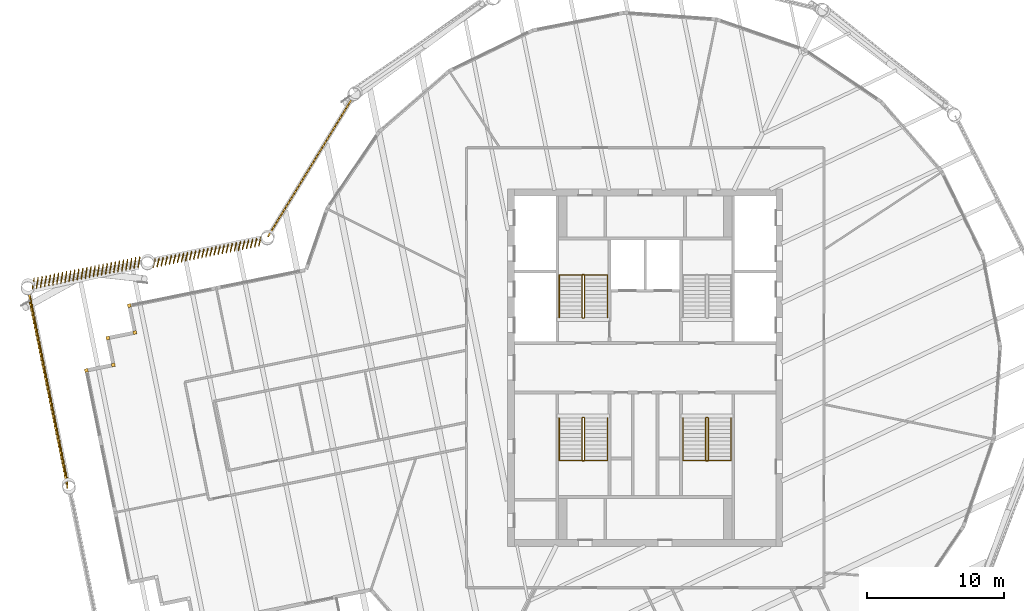
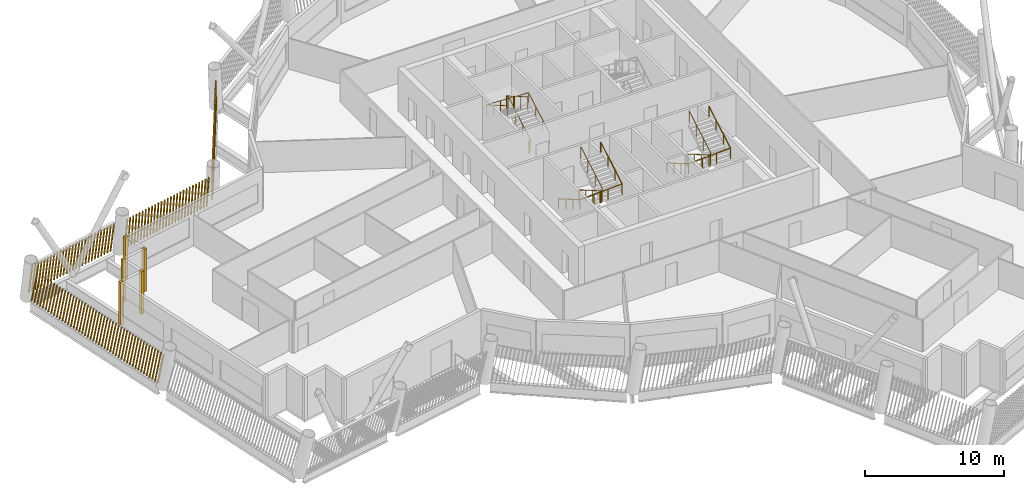
# One storey, part 18 of 21: 9 shading devices, 6 railings.
"""IFC4 building model written with IfcOpenShell, lengths in metres."""

from ifc_helpers import new_model, si_unit, direction, frame, frame_2d, origin, origin_2d, place, context, subcontext, project, spatial, rectangle, circle, composite_profile, extrude, material, type_object, element, save


model = new_model("IFC4")

# Units and contexts
model_context = context("Model", 3, precision=1e-05, world=origin(), true_north=direction((0.0, 1.0)))
body_context = subcontext(model_context, "Body", "Model", "MODEL_VIEW")
ifc_project = project(units=[si_unit("LENGTHUNIT", "METRE"), si_unit("AREAUNIT", "SQUARE_METRE"), si_unit("VOLUMEUNIT", "CUBIC_METRE"), si_unit("PLANEANGLEUNIT", "RADIAN"), si_unit("MASSUNIT", "GRAM", prefix="KILO")], contexts=[model_context])

# Site, building, storey
site_placement = place(None, origin())
site = spatial("IfcSite", under=ifc_project, at=site_placement, CompositionType="ELEMENT")
building_placement = place(site_placement, origin())
building = spatial("IfcBuilding", under=site, at=building_placement, Name="Tarsis Ring Headquarters", CompositionType="ELEMENT")
storey_placement = place(building_placement, frame((0.0, 0.0, 331.39990234375)))
storey = spatial("IfcBuildingStorey", under=building, at=storey_placement, Name="L78", CompositionType="ELEMENT", Elevation=331.39990234375)

# Railings
ifc_material_1 = material(Name="Steel S355", Category="steel")
railing_type_1 = type_object("IfcRailingType", Name="Core stair guard 1100", PredefinedType="GUARDRAIL", material=ifc_material_1)
railing_1_placement = place(storey_placement, frame((-4.5400390625, 3.610107421875, 0.0)))
element("IfcRailing", 1, at=railing_1_placement, inside=storey, type_object=railing_type_1, Name="L78 ST1 stair guard 1", PredefinedType="GUARDRAIL", context=body_context, shape_type="SweptSolid", body=[
    extrude(circle(Radius=0.02392578125, at=origin_2d()), frame((0.0, 0.0, 1.076171875), z_axis=(1.0, 0.0, 0.0), x_axis=(0.0, 1.0, 0.0)), (0.0, 0.0, 1.0), 0.080078125),
    extrude(circle(Radius=0.02392578125, at=origin_2d()), frame((0.080078125, 0.0, 1.076171875), z_axis=(0.282336740067, 0.280959487676, 0.917250092119), x_axis=(-0.705375805398, 0.708833529934, 0.0)), (0.0, 0.0, 1.0), 0.17724609375),
    extrude(circle(Radius=0.02392578125, at=origin_2d()), frame((0.130126953125, 0.0498046875, 1.23876953125), z_axis=(0.0, 0.864890721111, 0.501960198159), x_axis=(-1.0, 0.0, 0.0)), (0.0, 0.0, 1.0), 3.561279296875),
    extrude(circle(Radius=0.02392578125, at=origin_2d()), frame((0.130126953125, 3.1298828125, 3.0263671875), z_axis=(-0.707106781187, 0.707106781187, 0.0), x_axis=(-0.707106781187, -0.707106781187, 0.0)), (0.0, 0.0, 1.0), 0.07080078125),
    extrude(circle(Radius=0.02392578125, at=origin_2d()), frame((0.080078125, 3.179931640625, 3.0263671875), z_axis=(-1.0, 0.0, 0.0), x_axis=(0.0, -1.0, 0.0)), (0.0, 0.0, 1.0), 0.080078125),
    extrude(circle(Radius=0.02392578125, at=origin_2d()), frame((0.0, 3.179931640625, 3.0263671875), z_axis=(-0.282583949758, -0.282583949758, 0.916674763849), x_axis=(0.707106781187, -0.707106781187, 0.0)), (0.0, 0.0, 1.0), 0.177001953125),
    extrude(circle(Radius=0.02392578125, at=origin_2d()), frame((-0.050048828125, 3.1298828125, 3.1884765625), z_axis=(0.0, -0.864890721111, 0.501960198159), x_axis=(1.0, 0.0, 0.0)), (0.0, 0.0, 1.0), 3.561279296875),
    extrude(circle(Radius=0.02099609375, at=origin_2d()), origin(), (0.0, 0.0, 1.0), 1.052001953125),
    extrude(circle(Radius=0.02099609375, at=origin_2d()), frame((0.080078125, 0.0, 0.0)), (0.0, 0.0, 1.0), 1.052001953125),
    extrude(circle(Radius=0.02099609375, at=origin_2d()), frame((0.130126953125, 0.0498046875, 0.16259765625)), (0.0, 0.0, 1.0), 1.052001953125),
    extrude(circle(Radius=0.02099609375, at=origin_2d()), frame((0.130126953125, 1.076416015625, 0.758544921875)), (0.0, 0.0, 1.0), 1.052001953125),
    extrude(circle(Radius=0.02099609375, at=origin_2d()), frame((0.130126953125, 2.103271484375, 1.354248046875)), (0.0, 0.0, 1.0), 1.052001953125),
    extrude(circle(Radius=0.02099609375, at=origin_2d()), frame((0.130126953125, 3.1298828125, 1.9501953125)), (0.0, 0.0, 1.0), 1.052001953125),
    extrude(circle(Radius=0.02099609375, at=origin_2d()), frame((0.080078125, 3.179931640625, 1.9501953125)), (0.0, 0.0, 1.0), 1.052001953125),
    extrude(circle(Radius=0.02099609375, at=origin_2d()), frame((0.0, 3.179931640625, 1.9501953125)), (0.0, 0.0, 1.0), 1.052001953125),
    extrude(circle(Radius=0.02099609375, at=origin_2d()), frame((-0.050048828125, 3.1298828125, 2.112548828125)), (0.0, 0.0, 1.0), 1.052001953125),
    extrude(circle(Radius=0.02099609375, at=origin_2d()), frame((-0.050048828125, 2.103271484375, 2.70849609375)), (0.0, 0.0, 1.0), 1.052001953125),
    extrude(circle(Radius=0.02099609375, at=origin_2d()), frame((-0.050048828125, 1.076416015625, 3.30419921875)), (0.0, 0.0, 1.0), 1.052001953125),
    extrude(circle(Radius=0.02099609375, at=origin_2d()), frame((-0.050048828125, 0.0498046875, 3.900146484375)), (0.0, 0.0, 1.0), 1.052001953125),
])
railing_2_placement = place(storey_placement, frame((-4.4599609375, -3.610107421875, 0.0)))
element("IfcRailing", 2, at=railing_2_placement, inside=storey, type_object=railing_type_1, Name="L78 ST3 stair guard 1", PredefinedType="GUARDRAIL", context=body_context, shape_type="SweptSolid", body=[
    extrude(circle(Radius=0.02392578125, at=origin_2d()), frame((0.0, 0.0, 1.076171875), z_axis=(-1.0, 0.0, 0.0), x_axis=(0.0, -1.0, 0.0)), (0.0, 0.0, 1.0), 0.080078125),
    extrude(circle(Radius=0.02392578125, at=origin_2d()), frame((-0.080078125, 0.0, 1.076171875), z_axis=(-0.282336740067, -0.280959487676, 0.917250092119), x_axis=(0.705375805398, -0.708833529934, 0.0)), (0.0, 0.0, 1.0), 0.17724609375),
    extrude(circle(Radius=0.02392578125, at=origin_2d()), frame((-0.130126953125, -0.0498046875, 1.23876953125), z_axis=(0.0, -0.864890721111, 0.501960198159), x_axis=(1.0, 0.0, 0.0)), (0.0, 0.0, 1.0), 3.561279296875),
    extrude(circle(Radius=0.02392578125, at=origin_2d()), frame((-0.130126953125, -3.1298828125, 3.0263671875), z_axis=(0.707106781187, -0.707106781187, 0.0), x_axis=(0.707106781187, 0.707106781187, 0.0)), (0.0, 0.0, 1.0), 0.07080078125),
    extrude(circle(Radius=0.02392578125, at=origin_2d()), frame((-0.080078125, -3.179931640625, 3.0263671875), z_axis=(1.0, 0.0, 0.0), x_axis=(0.0, 1.0, 0.0)), (0.0, 0.0, 1.0), 0.080078125),
    extrude(circle(Radius=0.02392578125, at=origin_2d()), frame((0.0, -3.179931640625, 3.0263671875), z_axis=(0.282583949758, 0.282583949758, 0.916674763849), x_axis=(-0.707106781187, 0.707106781187, 0.0)), (0.0, 0.0, 1.0), 0.177001953125),
    extrude(circle(Radius=0.02392578125, at=origin_2d()), frame((0.050048828125, -3.1298828125, 3.1884765625), z_axis=(0.0, 0.864890721111, 0.501960198159), x_axis=(-1.0, 0.0, 0.0)), (0.0, 0.0, 1.0), 3.561279296875),
    extrude(circle(Radius=0.02099609375, at=origin_2d()), origin(), (0.0, 0.0, 1.0), 1.052001953125),
    extrude(circle(Radius=0.02099609375, at=origin_2d()), frame((-0.080078125, 0.0, 0.0)), (0.0, 0.0, 1.0), 1.052001953125),
    extrude(circle(Radius=0.02099609375, at=origin_2d()), frame((-0.130126953125, -0.0498046875, 0.16259765625)), (0.0, 0.0, 1.0), 1.052001953125),
    extrude(circle(Radius=0.02099609375, at=origin_2d()), frame((-0.130126953125, -1.076416015625, 0.758544921875)), (0.0, 0.0, 1.0), 1.052001953125),
    extrude(circle(Radius=0.02099609375, at=origin_2d()), frame((-0.130126953125, -2.103271484375, 1.354248046875)), (0.0, 0.0, 1.0), 1.052001953125),
    extrude(circle(Radius=0.02099609375, at=origin_2d()), frame((-0.130126953125, -3.1298828125, 1.9501953125)), (0.0, 0.0, 1.0), 1.052001953125),
    extrude(circle(Radius=0.02099609375, at=origin_2d()), frame((-0.080078125, -3.179931640625, 1.9501953125)), (0.0, 0.0, 1.0), 1.052001953125),
    extrude(circle(Radius=0.02099609375, at=origin_2d()), frame((0.0, -3.179931640625, 1.9501953125)), (0.0, 0.0, 1.0), 1.052001953125),
    extrude(circle(Radius=0.02099609375, at=origin_2d()), frame((0.050048828125, -3.1298828125, 2.112548828125)), (0.0, 0.0, 1.0), 1.052001953125),
    extrude(circle(Radius=0.02099609375, at=origin_2d()), frame((0.050048828125, -2.103271484375, 2.70849609375)), (0.0, 0.0, 1.0), 1.052001953125),
    extrude(circle(Radius=0.02099609375, at=origin_2d()), frame((0.050048828125, -1.076416015625, 3.30419921875)), (0.0, 0.0, 1.0), 1.052001953125),
    extrude(circle(Radius=0.02099609375, at=origin_2d()), frame((0.050048828125, -0.0498046875, 3.900146484375)), (0.0, 0.0, 1.0), 1.052001953125),
])
railing_3_placement = place(storey_placement, frame((4.5400390625, -3.610107421875, 0.0)))
element("IfcRailing", 3, at=railing_3_placement, inside=storey, type_object=railing_type_1, Name="L78 ST4 stair guard 1", PredefinedType="GUARDRAIL", context=body_context, shape_type="SweptSolid", body=[
    extrude(circle(Radius=0.02392578125, at=origin_2d()), frame((0.0, 0.0, 1.076171875), z_axis=(-1.0, 0.0, 0.0), x_axis=(0.0, -1.0, 0.0)), (0.0, 0.0, 1.0), 0.080078125),
    extrude(circle(Radius=0.02392578125, at=origin_2d()), frame((-0.080078125, 0.0, 1.076171875), z_axis=(-0.282336740067, -0.280959487676, 0.917250092119), x_axis=(0.705375805398, -0.708833529934, 0.0)), (0.0, 0.0, 1.0), 0.17724609375),
    extrude(circle(Radius=0.02392578125, at=origin_2d()), frame((-0.130126953125, -0.0498046875, 1.23876953125), z_axis=(0.0, -0.864890721111, 0.501960198159), x_axis=(1.0, 0.0, 0.0)), (0.0, 0.0, 1.0), 3.561279296875),
    extrude(circle(Radius=0.02392578125, at=origin_2d()), frame((-0.130126953125, -3.1298828125, 3.0263671875), z_axis=(0.707106781187, -0.707106781187, 0.0), x_axis=(0.707106781187, 0.707106781187, 0.0)), (0.0, 0.0, 1.0), 0.07080078125),
    extrude(circle(Radius=0.02392578125, at=origin_2d()), frame((-0.080078125, -3.179931640625, 3.0263671875), z_axis=(1.0, 0.0, 0.0), x_axis=(0.0, 1.0, 0.0)), (0.0, 0.0, 1.0), 0.080078125),
    extrude(circle(Radius=0.02392578125, at=origin_2d()), frame((0.0, -3.179931640625, 3.0263671875), z_axis=(0.282583949758, 0.282583949758, 0.916674763849), x_axis=(-0.707106781187, 0.707106781187, 0.0)), (0.0, 0.0, 1.0), 0.177001953125),
    extrude(circle(Radius=0.02392578125, at=origin_2d()), frame((0.050048828125, -3.1298828125, 3.1884765625), z_axis=(0.0, 0.864890721111, 0.501960198159), x_axis=(-1.0, 0.0, 0.0)), (0.0, 0.0, 1.0), 3.561279296875),
    extrude(circle(Radius=0.02099609375, at=origin_2d()), origin(), (0.0, 0.0, 1.0), 1.052001953125),
    extrude(circle(Radius=0.02099609375, at=origin_2d()), frame((-0.080078125, 0.0, 0.0)), (0.0, 0.0, 1.0), 1.052001953125),
    extrude(circle(Radius=0.02099609375, at=origin_2d()), frame((-0.130126953125, -0.0498046875, 0.16259765625)), (0.0, 0.0, 1.0), 1.052001953125),
    extrude(circle(Radius=0.02099609375, at=origin_2d()), frame((-0.130126953125, -1.076416015625, 0.758544921875)), (0.0, 0.0, 1.0), 1.052001953125),
    extrude(circle(Radius=0.02099609375, at=origin_2d()), frame((-0.130126953125, -2.103271484375, 1.354248046875)), (0.0, 0.0, 1.0), 1.052001953125),
    extrude(circle(Radius=0.02099609375, at=origin_2d()), frame((-0.130126953125, -3.1298828125, 1.9501953125)), (0.0, 0.0, 1.0), 1.052001953125),
    extrude(circle(Radius=0.02099609375, at=origin_2d()), frame((-0.080078125, -3.179931640625, 1.9501953125)), (0.0, 0.0, 1.0), 1.052001953125),
    extrude(circle(Radius=0.02099609375, at=origin_2d()), frame((0.0, -3.179931640625, 1.9501953125)), (0.0, 0.0, 1.0), 1.052001953125),
    extrude(circle(Radius=0.02099609375, at=origin_2d()), frame((0.050048828125, -3.1298828125, 2.112548828125)), (0.0, 0.0, 1.0), 1.052001953125),
    extrude(circle(Radius=0.02099609375, at=origin_2d()), frame((0.050048828125, -2.103271484375, 2.70849609375)), (0.0, 0.0, 1.0), 1.052001953125),
    extrude(circle(Radius=0.02099609375, at=origin_2d()), frame((0.050048828125, -1.076416015625, 3.30419921875)), (0.0, 0.0, 1.0), 1.052001953125),
    extrude(circle(Radius=0.02099609375, at=origin_2d()), frame((0.050048828125, -0.0498046875, 3.900146484375)), (0.0, 0.0, 1.0), 1.052001953125),
])
railing_type_2 = type_object("IfcRailingType", Name="Core stair handrail 900", PredefinedType="HANDRAIL", material=ifc_material_1)
railing_4_placement = place(storey_placement, frame((-2.75, 3.659912109375, 0.16259765625)))
element("IfcRailing", 4, at=railing_4_placement, inside=storey, type_object=railing_type_2, Name="L78 ST1 stair handrail 1", PredefinedType="HANDRAIL", context=body_context, shape_type="SweptSolid", body=[
    extrude(circle(Radius=0.02392578125, at=origin_2d()), frame((0.0, 0.0, 0.8759765625), z_axis=(0.0, 0.864890721111, 0.501960198159), x_axis=(-1.0, 0.0, 0.0)), (0.0, 0.0, 1.0), 3.561279296875),
    extrude(circle(Radius=0.02392578125, at=origin_2d()), frame((0.0, 3.080078125, 2.66357421875), z_axis=(-0.998925869279, 0.0, 0.04633689335), x_axis=(0.0, -1.0, 0.0)), (0.0, 0.0, 1.0), 3.503662109375),
    extrude(circle(Radius=0.02392578125, at=origin_2d()), frame((-3.5, 3.080078125, 2.82568359375), z_axis=(0.0, -0.864890721111, 0.501960198159), x_axis=(1.0, 0.0, 0.0)), (0.0, 0.0, 1.0), 3.561279296875),
    extrude(circle(Radius=0.02099609375, at=origin_2d()), origin(), (0.0, 0.0, 1.0), 0.851806640625),
    extrude(circle(Radius=0.02099609375, at=origin_2d()), frame((0.0, 1.026611328125, 0.595947265625)), (0.0, 0.0, 1.0), 0.851806640625),
    extrude(circle(Radius=0.02099609375, at=origin_2d()), frame((0.0, 2.053466796875, 1.191650390625)), (0.0, 0.0, 1.0), 0.851806640625),
    extrude(circle(Radius=0.02099609375, at=origin_2d()), frame((0.0, 3.080078125, 1.78759765625)), (0.0, 0.0, 1.0), 0.851806640625),
    extrude(circle(Radius=0.02099609375, at=origin_2d()), frame((-1.166748046875, 3.080078125, 1.841796875)), (0.0, 0.0, 1.0), 0.851806640625),
    extrude(circle(Radius=0.02099609375, at=origin_2d()), frame((-2.333251953125, 3.080078125, 1.895751953125)), (0.0, 0.0, 1.0), 0.851806640625),
    extrude(circle(Radius=0.02099609375, at=origin_2d()), frame((-3.5, 3.080078125, 1.949951171875)), (0.0, 0.0, 1.0), 0.851806640625),
    extrude(circle(Radius=0.02099609375, at=origin_2d()), frame((-3.5, 2.053466796875, 2.5458984375)), (0.0, 0.0, 1.0), 0.851806640625),
    extrude(circle(Radius=0.02099609375, at=origin_2d()), frame((-3.5, 1.026611328125, 3.1416015625)), (0.0, 0.0, 1.0), 0.851806640625),
    extrude(circle(Radius=0.02099609375, at=origin_2d()), frame((-3.5, 0.0, 3.737548828125)), (0.0, 0.0, 1.0), 0.851806640625),
])
railing_5_placement = place(storey_placement, frame((-6.25, -3.659912109375, 0.16259765625)))
element("IfcRailing", 5, at=railing_5_placement, inside=storey, type_object=railing_type_2, Name="L78 ST3 stair handrail 1", PredefinedType="HANDRAIL", context=body_context, shape_type="SweptSolid", body=[
    extrude(circle(Radius=0.02392578125, at=origin_2d()), frame((0.0, 0.0, 0.8759765625), z_axis=(0.0, -0.864890721111, 0.501960198159), x_axis=(1.0, 0.0, 0.0)), (0.0, 0.0, 1.0), 3.561279296875),
    extrude(circle(Radius=0.02392578125, at=origin_2d()), frame((0.0, -3.080078125, 2.66357421875), z_axis=(0.998925869279, 0.0, 0.04633689335), x_axis=(0.0, 1.0, 0.0)), (0.0, 0.0, 1.0), 3.503662109375),
    extrude(circle(Radius=0.02392578125, at=origin_2d()), frame((3.5, -3.080078125, 2.82568359375), z_axis=(0.0, 0.864890721111, 0.501960198159), x_axis=(-1.0, 0.0, 0.0)), (0.0, 0.0, 1.0), 3.561279296875),
    extrude(circle(Radius=0.02099609375, at=origin_2d()), origin(), (0.0, 0.0, 1.0), 0.851806640625),
    extrude(circle(Radius=0.02099609375, at=origin_2d()), frame((0.0, -1.026611328125, 0.595947265625)), (0.0, 0.0, 1.0), 0.851806640625),
    extrude(circle(Radius=0.02099609375, at=origin_2d()), frame((0.0, -2.053466796875, 1.191650390625)), (0.0, 0.0, 1.0), 0.851806640625),
    extrude(circle(Radius=0.02099609375, at=origin_2d()), frame((0.0, -3.080078125, 1.78759765625)), (0.0, 0.0, 1.0), 0.851806640625),
    extrude(circle(Radius=0.02099609375, at=origin_2d()), frame((1.166748046875, -3.080078125, 1.841796875)), (0.0, 0.0, 1.0), 0.851806640625),
    extrude(circle(Radius=0.02099609375, at=origin_2d()), frame((2.333251953125, -3.080078125, 1.895751953125)), (0.0, 0.0, 1.0), 0.851806640625),
    extrude(circle(Radius=0.02099609375, at=origin_2d()), frame((3.5, -3.080078125, 1.949951171875)), (0.0, 0.0, 1.0), 0.851806640625),
    extrude(circle(Radius=0.02099609375, at=origin_2d()), frame((3.5, -2.053466796875, 2.5458984375)), (0.0, 0.0, 1.0), 0.851806640625),
    extrude(circle(Radius=0.02099609375, at=origin_2d()), frame((3.5, -1.026611328125, 3.1416015625)), (0.0, 0.0, 1.0), 0.851806640625),
    extrude(circle(Radius=0.02099609375, at=origin_2d()), frame((3.5, 0.0, 3.737548828125)), (0.0, 0.0, 1.0), 0.851806640625),
])
railing_6_placement = place(storey_placement, frame((2.75, -3.659912109375, 0.16259765625)))
element("IfcRailing", 6, at=railing_6_placement, inside=storey, type_object=railing_type_2, Name="L78 ST4 stair handrail 1", PredefinedType="HANDRAIL", context=body_context, shape_type="SweptSolid", body=[
    extrude(circle(Radius=0.02392578125, at=origin_2d()), frame((0.0, 0.0, 0.8759765625), z_axis=(0.0, -0.864890721111, 0.501960198159), x_axis=(1.0, 0.0, 0.0)), (0.0, 0.0, 1.0), 3.561279296875),
    extrude(circle(Radius=0.02392578125, at=origin_2d()), frame((0.0, -3.080078125, 2.66357421875), z_axis=(0.998925869279, 0.0, 0.04633689335), x_axis=(0.0, 1.0, 0.0)), (0.0, 0.0, 1.0), 3.503662109375),
    extrude(circle(Radius=0.02392578125, at=origin_2d()), frame((3.5, -3.080078125, 2.82568359375), z_axis=(0.0, 0.864890721111, 0.501960198159), x_axis=(-1.0, 0.0, 0.0)), (0.0, 0.0, 1.0), 3.561279296875),
    extrude(circle(Radius=0.02099609375, at=origin_2d()), origin(), (0.0, 0.0, 1.0), 0.851806640625),
    extrude(circle(Radius=0.02099609375, at=origin_2d()), frame((0.0, -1.026611328125, 0.595947265625)), (0.0, 0.0, 1.0), 0.851806640625),
    extrude(circle(Radius=0.02099609375, at=origin_2d()), frame((0.0, -2.053466796875, 1.191650390625)), (0.0, 0.0, 1.0), 0.851806640625),
    extrude(circle(Radius=0.02099609375, at=origin_2d()), frame((0.0, -3.080078125, 1.78759765625)), (0.0, 0.0, 1.0), 0.851806640625),
    extrude(circle(Radius=0.02099609375, at=origin_2d()), frame((1.166748046875, -3.080078125, 1.841796875)), (0.0, 0.0, 1.0), 0.851806640625),
    extrude(circle(Radius=0.02099609375, at=origin_2d()), frame((2.333251953125, -3.080078125, 1.895751953125)), (0.0, 0.0, 1.0), 0.851806640625),
    extrude(circle(Radius=0.02099609375, at=origin_2d()), frame((3.5, -3.080078125, 1.949951171875)), (0.0, 0.0, 1.0), 0.851806640625),
    extrude(circle(Radius=0.02099609375, at=origin_2d()), frame((3.5, -2.053466796875, 2.5458984375)), (0.0, 0.0, 1.0), 0.851806640625),
    extrude(circle(Radius=0.02099609375, at=origin_2d()), frame((3.5, -1.026611328125, 3.1416015625)), (0.0, 0.0, 1.0), 0.851806640625),
    extrude(circle(Radius=0.02099609375, at=origin_2d()), frame((3.5, 0.0, 3.737548828125)), (0.0, 0.0, 1.0), 0.851806640625),
])

# Shading devices
ifc_material_2 = material(Name="Terracotta baguette", Category="masonry")
shading_device_type_1 = type_object("IfcShadingDeviceType", Name="Terracotta baguette screen", PredefinedType="USERDEFINED", material=ifc_material_2)
shading_device_1_placement = place(storey_placement, frame((-21.31982421875, 19.58056640625, 0.0), z_axis=(0.0, 0.0, 1.0), x_axis=(-0.520434074878, -0.853890396093, 0.0)))
element("IfcShadingDevice", 7, at=shading_device_1_placement, inside=storey, type_object=shading_device_type_1, Name="Baguette screen L78-14", ObjectType="Terracotta baguette screen", PredefinedType="USERDEFINED", context=body_context, shape_type="SweptSolid", body=[
    extrude(composite_profile([rectangle(XDim=0.06005859375, YDim=0.1201171875, at=frame_2d((0.030029296875, 0.0))), rectangle(XDim=0.06005859375, YDim=0.1201171875, at=frame_2d((0.33251953125, 0.0))), rectangle(XDim=0.06005859375, YDim=0.1201171875, at=frame_2d((0.634765625, 0.0))), rectangle(XDim=0.06005859375, YDim=0.1201171875, at=frame_2d((0.937255859375, 0.0))), rectangle(XDim=0.06005859375, YDim=0.1201171875, at=frame_2d((1.239501953125, 0.0))), rectangle(XDim=0.06005859375, YDim=0.1201171875, at=frame_2d((1.5419921875, 0.0))), rectangle(XDim=0.06005859375, YDim=0.1201171875, at=frame_2d((1.844482421875, 0.0))), rectangle(XDim=0.06005859375, YDim=0.1201171875, at=frame_2d((2.146728515625, 0.0))), rectangle(XDim=0.06005859375, YDim=0.1201171875, at=frame_2d((2.44921875, 0.0))), rectangle(XDim=0.06005859375, YDim=0.1201171875, at=frame_2d((2.751708984375, 0.0))), rectangle(XDim=0.06005859375, YDim=0.1201171875, at=frame_2d((3.053955078125, 0.0))), rectangle(XDim=0.06005859375, YDim=0.1201171875, at=frame_2d((3.3564453125, 0.0))), rectangle(XDim=0.06005859375, YDim=0.1201171875, at=frame_2d((3.65869140625, 0.0))), rectangle(XDim=0.06005859375, YDim=0.1201171875, at=frame_2d((3.961181640625, 0.0))), rectangle(XDim=0.06005859375, YDim=0.1201171875, at=frame_2d((4.263671875, 0.0))), rectangle(XDim=0.06005859375, YDim=0.1201171875, at=frame_2d((4.56591796875, 0.0))), rectangle(XDim=0.06005859375, YDim=0.1201171875, at=frame_2d((4.868408203125, 0.0))), rectangle(XDim=0.06005859375, YDim=0.1201171875, at=frame_2d((5.1708984375, 0.0))), rectangle(XDim=0.06005859375, YDim=0.1201171875, at=frame_2d((5.47314453125, 0.0))), rectangle(XDim=0.06005859375, YDim=0.1201171875, at=frame_2d((5.775634765625, 0.0))), rectangle(XDim=0.06005859375, YDim=0.1201171875, at=frame_2d((6.077880859375, 0.0))), rectangle(XDim=0.06005859375, YDim=0.1201171875, at=frame_2d((6.38037109375, 0.0))), rectangle(XDim=0.06005859375, YDim=0.1201171875, at=frame_2d((6.682861328125, 0.0))), rectangle(XDim=0.06005859375, YDim=0.1201171875, at=frame_2d((6.985107421875, 0.0))), rectangle(XDim=0.06005859375, YDim=0.1201171875, at=frame_2d((7.28759765625, 0.0))), rectangle(XDim=0.06005859375, YDim=0.1201171875, at=frame_2d((7.590087890625, 0.0))), rectangle(XDim=0.06005859375, YDim=0.1201171875, at=frame_2d((7.892333984375, 0.0))), rectangle(XDim=0.06005859375, YDim=0.1201171875, at=frame_2d((8.19482421875, 0.0))), rectangle(XDim=0.06005859375, YDim=0.1201171875, at=frame_2d((8.4970703125, 0.0))), rectangle(XDim=0.06005859375, YDim=0.1201171875, at=frame_2d((8.799560546875, 0.0))), rectangle(XDim=0.06005859375, YDim=0.1201171875, at=frame_2d((9.10205078125, 0.0))), rectangle(XDim=0.06005859375, YDim=0.1201171875, at=frame_2d((9.404296875, 0.0))), rectangle(XDim=0.06005859375, YDim=0.1201171875, at=frame_2d((9.706787109375, 0.0))), rectangle(XDim=0.06005859375, YDim=0.1201171875, at=frame_2d((10.00927734375, 0.0))), rectangle(XDim=0.06005859375, YDim=0.1201171875, at=frame_2d((10.3115234375, 0.0))), rectangle(XDim=0.06005859375, YDim=0.1201171875, at=frame_2d((10.614013671875, 0.0))), rectangle(XDim=0.06005859375, YDim=0.1201171875, at=frame_2d((10.916259765625, 0.0))), rectangle(XDim=0.06005859375, YDim=0.1201171875, at=frame_2d((11.21875, 0.0)))]), origin(), (0.171086463245, 0.001553941326, 0.985254793117), 3.012451171875),
])
shading_device_2_placement = place(storey_placement, frame((-27.924560546875, 9.44921875, 0.0), z_axis=(0.0, 0.0, 1.0), x_axis=(-0.980134087188, -0.198350171471, 0.0)))
element("IfcShadingDevice", 8, at=shading_device_2_placement, inside=storey, type_object=shading_device_type_1, Name="Baguette screen L78-15", ObjectType="Terracotta baguette screen", PredefinedType="USERDEFINED", context=body_context, shape_type="SweptSolid", body=[
    extrude(composite_profile([rectangle(XDim=0.06005859375, YDim=0.1201171875, at=frame_2d((0.030029296875, 0.0))), rectangle(XDim=0.06005859375, YDim=0.1201171875, at=frame_2d((0.33154296875, 0.0))), rectangle(XDim=0.06005859375, YDim=0.1201171875, at=frame_2d((0.63330078125, 0.0))), rectangle(XDim=0.06005859375, YDim=0.1201171875, at=frame_2d((0.934814453125, 0.0))), rectangle(XDim=0.06005859375, YDim=0.1201171875, at=frame_2d((1.236572265625, 0.0))), rectangle(XDim=0.06005859375, YDim=0.1201171875, at=frame_2d((1.5380859375, 0.0))), rectangle(XDim=0.06005859375, YDim=0.1201171875, at=frame_2d((1.83984375, 0.0))), rectangle(XDim=0.06005859375, YDim=0.1201171875, at=frame_2d((2.141357421875, 0.0))), rectangle(XDim=0.06005859375, YDim=0.1201171875, at=frame_2d((2.443115234375, 0.0))), rectangle(XDim=0.06005859375, YDim=0.1201171875, at=frame_2d((2.74462890625, 0.0))), rectangle(XDim=0.06005859375, YDim=0.1201171875, at=frame_2d((3.04638671875, 0.0))), rectangle(XDim=0.06005859375, YDim=0.1201171875, at=frame_2d((3.347900390625, 0.0))), rectangle(XDim=0.06005859375, YDim=0.1201171875, at=frame_2d((3.649658203125, 0.0))), rectangle(XDim=0.06005859375, YDim=0.1201171875, at=frame_2d((3.951171875, 0.0))), rectangle(XDim=0.06005859375, YDim=0.1201171875, at=frame_2d((4.252685546875, 0.0))), rectangle(XDim=0.06005859375, YDim=0.1201171875, at=frame_2d((4.554443359375, 0.0))), rectangle(XDim=0.06005859375, YDim=0.1201171875, at=frame_2d((4.85595703125, 0.0))), rectangle(XDim=0.06005859375, YDim=0.1201171875, at=frame_2d((5.15771484375, 0.0))), rectangle(XDim=0.06005859375, YDim=0.1201171875, at=frame_2d((5.459228515625, 0.0))), rectangle(XDim=0.06005859375, YDim=0.1201171875, at=frame_2d((5.760986328125, 0.0))), rectangle(XDim=0.06005859375, YDim=0.1201171875, at=frame_2d((6.0625, 0.0))), rectangle(XDim=0.06005859375, YDim=0.1201171875, at=frame_2d((6.3642578125, 0.0))), rectangle(XDim=0.06005859375, YDim=0.1201171875, at=frame_2d((6.665771484375, 0.0))), rectangle(XDim=0.06005859375, YDim=0.1201171875, at=frame_2d((6.967529296875, 0.0))), rectangle(XDim=0.06005859375, YDim=0.1201171875, at=frame_2d((7.26904296875, 0.0))), rectangle(XDim=0.06005859375, YDim=0.1201171875, at=frame_2d((7.57080078125, 0.0))), rectangle(XDim=0.06005859375, YDim=0.1201171875, at=frame_2d((7.872314453125, 0.0)))]), origin(), (0.087122384856, 0.17733136595, 0.980287343949), 3.027587890625),
])
shading_device_3_placement = place(storey_placement, frame((-36.72412109375, 8.051025390625, 0.0), z_axis=(0.0, 0.0, 1.0), x_axis=(-0.980134700939, -0.1983440435, 0.0)))
element("IfcShadingDevice", 9, at=shading_device_3_placement, inside=storey, type_object=shading_device_type_1, Name="Baguette screen L78-16", ObjectType="Terracotta baguette screen", PredefinedType="USERDEFINED", context=body_context, shape_type="SweptSolid", body=[
    extrude(composite_profile([rectangle(XDim=0.06005859375, YDim=0.1201171875, at=frame_2d((0.030029296875, 0.0))), rectangle(XDim=0.06005859375, YDim=0.1201171875, at=frame_2d((0.33154296875, 0.0))), rectangle(XDim=0.06005859375, YDim=0.1201171875, at=frame_2d((0.63330078125, 0.0))), rectangle(XDim=0.06005859375, YDim=0.1201171875, at=frame_2d((0.934814453125, 0.0))), rectangle(XDim=0.06005859375, YDim=0.1201171875, at=frame_2d((1.236572265625, 0.0))), rectangle(XDim=0.06005859375, YDim=0.1201171875, at=frame_2d((1.5380859375, 0.0))), rectangle(XDim=0.06005859375, YDim=0.1201171875, at=frame_2d((1.83984375, 0.0))), rectangle(XDim=0.06005859375, YDim=0.1201171875, at=frame_2d((2.141357421875, 0.0))), rectangle(XDim=0.06005859375, YDim=0.1201171875, at=frame_2d((2.443115234375, 0.0))), rectangle(XDim=0.06005859375, YDim=0.1201171875, at=frame_2d((2.74462890625, 0.0))), rectangle(XDim=0.06005859375, YDim=0.1201171875, at=frame_2d((3.04638671875, 0.0))), rectangle(XDim=0.06005859375, YDim=0.1201171875, at=frame_2d((3.347900390625, 0.0))), rectangle(XDim=0.06005859375, YDim=0.1201171875, at=frame_2d((3.649658203125, 0.0))), rectangle(XDim=0.06005859375, YDim=0.1201171875, at=frame_2d((3.951171875, 0.0))), rectangle(XDim=0.06005859375, YDim=0.1201171875, at=frame_2d((4.252685546875, 0.0))), rectangle(XDim=0.06005859375, YDim=0.1201171875, at=frame_2d((4.554443359375, 0.0))), rectangle(XDim=0.06005859375, YDim=0.1201171875, at=frame_2d((4.85595703125, 0.0))), rectangle(XDim=0.06005859375, YDim=0.1201171875, at=frame_2d((5.15771484375, 0.0))), rectangle(XDim=0.06005859375, YDim=0.1201171875, at=frame_2d((5.459228515625, 0.0))), rectangle(XDim=0.06005859375, YDim=0.1201171875, at=frame_2d((5.760986328125, 0.0))), rectangle(XDim=0.06005859375, YDim=0.1201171875, at=frame_2d((6.0625, 0.0))), rectangle(XDim=0.06005859375, YDim=0.1201171875, at=frame_2d((6.3642578125, 0.0))), rectangle(XDim=0.06005859375, YDim=0.1201171875, at=frame_2d((6.665771484375, 0.0))), rectangle(XDim=0.06005859375, YDim=0.1201171875, at=frame_2d((6.967529296875, 0.0))), rectangle(XDim=0.06005859375, YDim=0.1201171875, at=frame_2d((7.26904296875, 0.0))), rectangle(XDim=0.06005859375, YDim=0.1201171875, at=frame_2d((7.57080078125, 0.0))), rectangle(XDim=0.06005859375, YDim=0.1201171875, at=frame_2d((7.872314453125, 0.0)))]), origin(), (0.087918846716, 0.228211954501, 0.969633735085), 3.06103515625),
])
shading_device_4_placement = place(storey_placement, frame((-44.785888671875, 5.52685546875, 0.0), z_axis=(0.0, 0.0, 1.0), x_axis=(0.198337019018, -0.980132684653, 0.0)))
element("IfcShadingDevice", 10, at=shading_device_4_placement, inside=storey, type_object=shading_device_type_1, Name="Baguette screen L78-17", ObjectType="Terracotta baguette screen", PredefinedType="USERDEFINED", context=body_context, shape_type="SweptSolid", body=[
    extrude(composite_profile([rectangle(XDim=0.06005859375, YDim=0.1201171875, at=frame_2d((0.030029296875, 0.0))), rectangle(XDim=0.06005859375, YDim=0.1201171875, at=frame_2d((0.33544921875, 0.0))), rectangle(XDim=0.06005859375, YDim=0.1201171875, at=frame_2d((0.640625, 0.0))), rectangle(XDim=0.06005859375, YDim=0.1201171875, at=frame_2d((0.946044921875, 0.0))), rectangle(XDim=0.06005859375, YDim=0.1201171875, at=frame_2d((1.25146484375, 0.0))), rectangle(XDim=0.06005859375, YDim=0.1201171875, at=frame_2d((1.556640625, 0.0))), rectangle(XDim=0.06005859375, YDim=0.1201171875, at=frame_2d((1.862060546875, 0.0))), rectangle(XDim=0.06005859375, YDim=0.1201171875, at=frame_2d((2.16748046875, 0.0))), rectangle(XDim=0.06005859375, YDim=0.1201171875, at=frame_2d((2.47265625, 0.0))), rectangle(XDim=0.06005859375, YDim=0.1201171875, at=frame_2d((2.778076171875, 0.0))), rectangle(XDim=0.06005859375, YDim=0.1201171875, at=frame_2d((3.08349609375, 0.0))), rectangle(XDim=0.06005859375, YDim=0.1201171875, at=frame_2d((3.388671875, 0.0))), rectangle(XDim=0.06005859375, YDim=0.1201171875, at=frame_2d((3.694091796875, 0.0))), rectangle(XDim=0.06005859375, YDim=0.1201171875, at=frame_2d((3.99951171875, 0.0))), rectangle(XDim=0.06005859375, YDim=0.1201171875, at=frame_2d((4.3046875, 0.0))), rectangle(XDim=0.06005859375, YDim=0.1201171875, at=frame_2d((4.610107421875, 0.0))), rectangle(XDim=0.06005859375, YDim=0.1201171875, at=frame_2d((4.91552734375, 0.0))), rectangle(XDim=0.06005859375, YDim=0.1201171875, at=frame_2d((5.220703125, 0.0))), rectangle(XDim=0.06005859375, YDim=0.1201171875, at=frame_2d((5.526123046875, 0.0))), rectangle(XDim=0.06005859375, YDim=0.1201171875, at=frame_2d((5.83154296875, 0.0))), rectangle(XDim=0.06005859375, YDim=0.1201171875, at=frame_2d((6.13671875, 0.0))), rectangle(XDim=0.06005859375, YDim=0.1201171875, at=frame_2d((6.442138671875, 0.0))), rectangle(XDim=0.06005859375, YDim=0.1201171875, at=frame_2d((6.74755859375, 0.0))), rectangle(XDim=0.06005859375, YDim=0.1201171875, at=frame_2d((7.052734375, 0.0))), rectangle(XDim=0.06005859375, YDim=0.1201171875, at=frame_2d((7.358154296875, 0.0))), rectangle(XDim=0.06005859375, YDim=0.1201171875, at=frame_2d((7.66357421875, 0.0))), rectangle(XDim=0.06005859375, YDim=0.1201171875, at=frame_2d((7.96875, 0.0))), rectangle(XDim=0.06005859375, YDim=0.1201171875, at=frame_2d((8.274169921875, 0.0))), rectangle(XDim=0.06005859375, YDim=0.1201171875, at=frame_2d((8.57958984375, 0.0))), rectangle(XDim=0.06005859375, YDim=0.1201171875, at=frame_2d((8.884765625, 0.0))), rectangle(XDim=0.06005859375, YDim=0.1201171875, at=frame_2d((9.190185546875, 0.0))), rectangle(XDim=0.06005859375, YDim=0.1201171875, at=frame_2d((9.49560546875, 0.0))), rectangle(XDim=0.06005859375, YDim=0.1201171875, at=frame_2d((9.80078125, 0.0))), rectangle(XDim=0.06005859375, YDim=0.1201171875, at=frame_2d((10.106201171875, 0.0))), rectangle(XDim=0.06005859375, YDim=0.1201171875, at=frame_2d((10.41162109375, 0.0))), rectangle(XDim=0.06005859375, YDim=0.1201171875, at=frame_2d((10.716796875, 0.0))), rectangle(XDim=0.06005859375, YDim=0.1201171875, at=frame_2d((11.022216796875, 0.0))), rectangle(XDim=0.06005859375, YDim=0.1201171875, at=frame_2d((11.32763671875, 0.0))), rectangle(XDim=0.06005859375, YDim=0.1201171875, at=frame_2d((11.6328125, 0.0))), rectangle(XDim=0.06005859375, YDim=0.1201171875, at=frame_2d((11.938232421875, 0.0))), rectangle(XDim=0.06005859375, YDim=0.1201171875, at=frame_2d((12.24365234375, 0.0))), rectangle(XDim=0.06005859375, YDim=0.1201171875, at=frame_2d((12.548828125, 0.0))), rectangle(XDim=0.06005859375, YDim=0.1201171875, at=frame_2d((12.854248046875, 0.0))), rectangle(XDim=0.06005859375, YDim=0.1201171875, at=frame_2d((13.15966796875, 0.0))), rectangle(XDim=0.06005859375, YDim=0.1201171875, at=frame_2d((13.46484375, 0.0))), rectangle(XDim=0.06005859375, YDim=0.1201171875, at=frame_2d((13.770263671875, 0.0)))]), origin(), (0.253360845014, -0.041439654602, 0.96648385255), 3.071044921875),
])
shading_device_type_2 = type_object("IfcShadingDeviceType", Name="Terracotta corner baguette 250x250", PredefinedType="USERDEFINED", material=ifc_material_2)
for number, where, z_axis, x_axis, name in (
    (11, (-37.517578125, 4.523681640625, 0.0), (0.0, 0.0, 1.0), (-0.98013294143, -0.198341667645, 0.0), "Corner baguette L78-32"),
    (12, (-37.120849609375, 2.563232421875, 0.0), (0.0, 0.0, 1.0), (0.198341496579, -0.980132976047, 0.0), "Corner baguette L78-33"),
    (13, (-39.0810546875, 2.16650390625, 0.0), (0.0, 0.0, 1.0), (-0.980132858349, -0.198342078202, 0.0), "Corner baguette L78-34"),
    (14, (-38.6845703125, 0.206298828125, 0.0), (0.0, 0.0, 1.0), (0.198341599218, -0.980132955277, 0.0), "Corner baguette L78-35"),
    (15, (-40.644775390625, -0.1904296875, 0.0), (0.0, 0.0, 1.0), (-0.980132976047, -0.198341496579, 0.0), "Corner baguette L78-36"),
):
    element("IfcShadingDevice", number, at=place(storey_placement, frame(where, z_axis=z_axis, x_axis=x_axis)), inside=storey, type_object=shading_device_type_2, Name=name, ObjectType="Terracotta corner baguette", PredefinedType="USERDEFINED", context=body_context, shape_type="SweptSolid", body=[
        extrude(rectangle(XDim=0.25, YDim=0.25, at=origin_2d()), origin(), (0.0, 0.0, 1.0), 3.739990234375),
    ])

save(model, "model.ifc")
